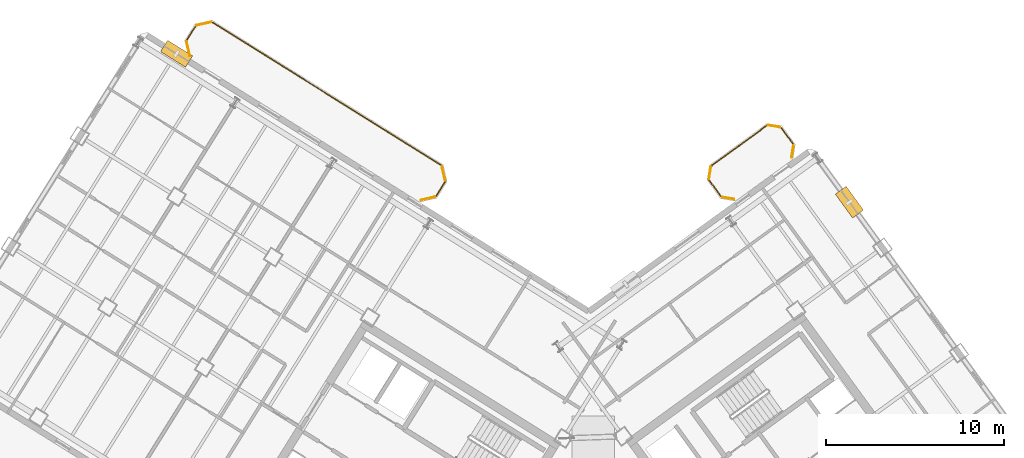
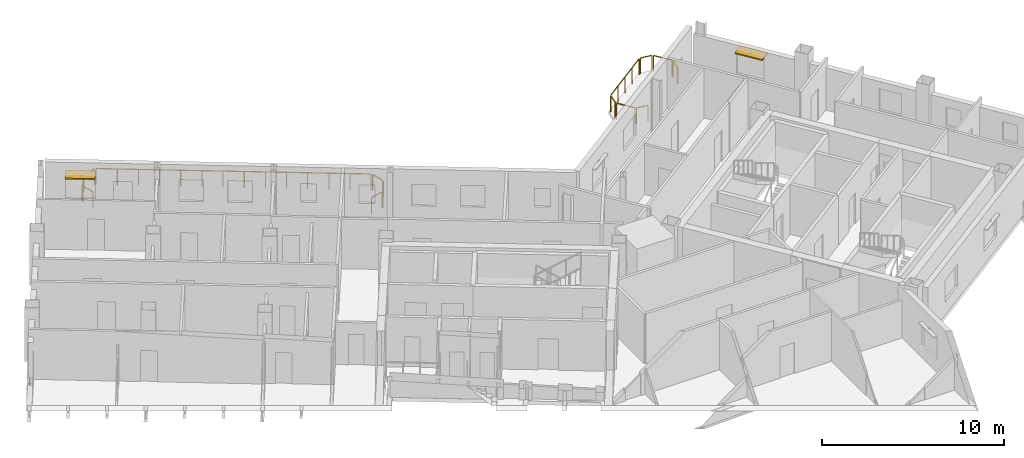
# One storey, part 23 of 23: 14 railings, 2 shading devices.
"""IFC4 building model written with IfcOpenShell, lengths in metres."""

import ifcopenshell
import ifcopenshell.guid

model = None  # the IFC model being written
_history = None  # IfcOwnerHistory: only IFC2X3 demands one
_inside = {}  # id of a spatial element -> (the spatial element, [elements in it])
_under = {}  # id of a project, library or spatial element -> (it, [spatial elements below it])
_declared = {}  # id of a project -> (the project, [libraries it declares])
_typed = {}  # id of a type object -> (the type object, [elements of that type])
_made_of = {}  # id of a material, layer set ... -> (it, [elements and type objects made of it])


def new_model(schema):
    """Start an empty IFC model of exactly this schema.

    Asked for "IFC4X3", IfcOpenShell would pick the latest addendum, in which some entities
    have other attributes; the version numbers below select the first issue.
    IFC2X3 requires an IfcOwnerHistory on every rooted entity: one is made here for all.
    """
    global model, _history
    if schema == "IFC4X3":
        model = ifcopenshell.file(schema_version=(4, 3, 0, 0))
    else:
        model = ifcopenshell.file(schema=schema)
    _inside.clear()
    _under.clear()
    _declared.clear()
    _typed.clear()
    _made_of.clear()
    _history = None
    if model.schema == "IFC2X3":
        org = make("IfcOrganization", Name="unknown")
        user = make(
            "IfcPersonAndOrganization",
            ThePerson=make("IfcPerson", FamilyName="unknown"),
            TheOrganization=org,
        )
        app = make(
            "IfcApplication",
            ApplicationDeveloper=org,
            Version="unknown",
            ApplicationFullName="unknown",
            ApplicationIdentifier="unknown",
        )
        _history = make(
            "IfcOwnerHistory",
            OwningUser=user,
            OwningApplication=app,
            ChangeAction="ADDED",
            CreationDate=0,
        )
    return model


def make(cls, **values):
    """One entity of the class cls with the attributes given. An attribute that is None is left unset."""
    return model.create_entity(
        cls, **{name: value for name, value in values.items() if value is not None}
    )


def rooted(cls, **values):
    """An entity with a GlobalId (a new one), such as an element, a storey or a relation."""
    return make(cls, GlobalId=ifcopenshell.guid.new(), OwnerHistory=_history, **values)


def si_unit(unit_type, name, prefix=None):
    """IfcSIUnit, for example si_unit("LENGTHUNIT", "METRE", prefix="MILLI")."""
    return make("IfcSIUnit", UnitType=unit_type, Prefix=prefix, Name=name)


def assignment(units):
    """IfcUnitAssignment: the units of a project."""
    return None if units is None else make("IfcUnitAssignment", Units=units)


def point(xyz):
    """IfcCartesianPoint."""
    return None if xyz is None else make("IfcCartesianPoint", Coordinates=xyz)


def direction(xyz):
    """IfcDirection."""
    return None if xyz is None else make("IfcDirection", DirectionRatios=xyz)


def frame(location, z_axis=None, x_axis=None):
    """IfcAxis2Placement3D, a coordinate frame: its origin and axes. An axis left out is left unset."""
    return make(
        "IfcAxis2Placement3D",
        Location=point(location),
        Axis=direction(z_axis),
        RefDirection=direction(x_axis),
    )


def frame_2d(location, x_axis=None):
    """IfcAxis2Placement2D, a coordinate frame in the plane: its origin and x axis."""
    return make(
        "IfcAxis2Placement2D", Location=point(location), RefDirection=direction(x_axis)
    )


def origin():
    """The frame at (0, 0, 0) with its axes left unset."""
    return frame((0.0, 0.0, 0.0))


def origin_2d():
    """The frame at (0, 0) in the plane with its x axis left unset."""
    return frame_2d((0.0, 0.0))


def place(relative_to, where):
    """IfcLocalPlacement: puts the frame where relative to a parent placement (None: the world)."""
    return make(
        "IfcLocalPlacement", PlacementRelTo=relative_to, RelativePlacement=where
    )


def context(
    kind, dimensions, precision=None, world=None, true_north=None, identifier=None
):
    """IfcGeometricRepresentationContext, for example the 3D "Model" context."""
    return make(
        "IfcGeometricRepresentationContext",
        ContextIdentifier=identifier,
        ContextType=kind,
        CoordinateSpaceDimension=dimensions,
        Precision=precision,
        WorldCoordinateSystem=world,
        TrueNorth=true_north,
    )


def subcontext(parent, identifier, kind, view, scale=None):
    """IfcGeometricRepresentationSubContext, for example "Body" below "Model"."""
    return make(
        "IfcGeometricRepresentationSubContext",
        ContextIdentifier=identifier,
        ContextType=kind,
        ParentContext=parent,
        TargetScale=scale,
        TargetView=view,
    )


def project(units=None, contexts=None):
    """IfcProject with its units and contexts."""
    return rooted(
        "IfcProject",
        Name="project",
        RepresentationContexts=contexts,
        UnitsInContext=assignment(units),
    )


def spatial(cls, under=None, at=None, **own):
    """A site, building, storey or space (cls), placed at a placement, below another one or the project."""
    s = rooted(cls, ObjectPlacement=at, **own)
    if under is not None:
        _under.setdefault(under.id(), (under, []))[1].append(s)
    return s


def profile(cls, at=None, kind="AREA", **sizes):
    """A parametric profile (cls). Its sizes go by their IFC names, for example OverallWidth=200.0."""
    return make(cls, ProfileType=kind, Position=at, **sizes)


def rectangle(**sizes):
    """IfcRectangleProfileDef."""
    return profile("IfcRectangleProfileDef", **sizes)


def extrude(swept, where, along, depth):
    """IfcExtrudedAreaSolid: the profile swept, set in the frame where, extruded along a direction by depth."""
    return make(
        "IfcExtrudedAreaSolid",
        SweptArea=swept,
        Position=where,
        ExtrudedDirection=direction(along),
        Depth=depth,
    )


def shape(context_of_items, identifier, shape_type, items):
    """IfcShapeRepresentation: the items that make up one representation, for example the "Body"."""
    return make(
        "IfcShapeRepresentation",
        ContextOfItems=context_of_items,
        RepresentationIdentifier=identifier,
        RepresentationType=shape_type,
        Items=items,
    )


def source(mapping_origin, context_of_items, identifier, shape_type, items):
    """IfcRepresentationMap: a shape defined once, which mapped items show again and again."""
    return make(
        "IfcRepresentationMap",
        MappingOrigin=mapping_origin,
        MappedRepresentation=shape(context_of_items, identifier, shape_type, items),
    )


def transform(
    local_origin,
    x_axis=None,
    y_axis=None,
    z_axis=None,
    scale=None,
    scale2=None,
    scale3=None,
    uniform=True,
):
    """IfcCartesianTransformationOperator3D, or its non-uniform kind. x_axis, y_axis, z_axis: its Axis1, 2, 3."""
    if uniform:
        return make(
            "IfcCartesianTransformationOperator3D",
            Axis1=direction(x_axis),
            Axis2=direction(y_axis),
            LocalOrigin=point(local_origin),
            Scale=scale,
            Axis3=direction(z_axis),
        )
    return make(
        "IfcCartesianTransformationOperator3DnonUniform",
        Axis1=direction(x_axis),
        Axis2=direction(y_axis),
        LocalOrigin=point(local_origin),
        Scale=scale,
        Axis3=direction(z_axis),
        Scale2=scale2,
        Scale3=scale3,
    )


def mapped(mapping_source, mapping_target):
    """IfcMappedItem: shows the shape of a source again, moved by a transform."""
    return make(
        "IfcMappedItem", MappingSource=mapping_source, MappingTarget=mapping_target
    )


def material(Name=None, Category=None):
    """IfcMaterial."""
    return make("IfcMaterial", Name=Name, Category=Category)


def layer(
    of_material, thickness, ventilated=None, Name=None, Category=None, Priority=None
):
    """IfcMaterialLayer: one layer of a wall or slab, of a material (None: an air gap)."""
    return make(
        "IfcMaterialLayer",
        Material=of_material,
        LayerThickness=thickness,
        IsVentilated=ventilated,
        Name=Name,
        Category=Category,
        Priority=Priority,
    )


def layer_set(layers, Name=None):
    """IfcMaterialLayerSet."""
    return make("IfcMaterialLayerSet", MaterialLayers=layers, LayerSetName=Name)


def made_of(thing, what):
    """Note that an element or type object is made of a material, layer set ...; save() writes the relation."""
    if what is not None:
        _made_of.setdefault(what.id(), (what, []))[1].append(thing)
    return thing


def type_object(cls, material=None, **own):
    """A type object (cls), such as IfcWallType, which elements share."""
    return made_of(rooted(cls, **own), material)


def element(
    cls,
    number,
    at=None,
    inside=None,
    cuts=None,
    type_object=None,
    material=None,
    context=None,
    identifier="Body",
    shape_type=None,
    held_by="IfcProductDefinitionShape",
    body=None,
    shapes=None,
    **own,
):
    """One element of the class cls, such as IfcWall. Its Tag is "e" and its number.

    at: its placement. inside: the storey or other place that contains it. cuts: it is an
    opening in that element (IfcRelVoidsElement). A single representation is given by context,
    identifier, shape_type and body (its items); several are given by shapes. held_by: the class
    of the entity that holds the representations. save() writes the other relations.
    """
    e = rooted(cls, Tag="e%d" % number, ObjectPlacement=at, **own)
    if body is not None:
        shapes = [shape(context, identifier, shape_type, body)]
    if shapes is not None:
        e.Representation = make(held_by, Representations=shapes)
    if inside is not None:
        _inside.setdefault(inside.id(), (inside, []))[1].append(e)
    if cuts is not None:
        rooted(
            "IfcRelVoidsElement", RelatingBuildingElement=cuts, RelatedOpeningElement=e
        )
    if type_object is not None:
        _typed.setdefault(type_object.id(), (type_object, []))[1].append(e)
    return made_of(e, material)


def aggregate(whole, parts):
    """IfcRelAggregates: a whole, such as a stair, and the parts it consists of."""
    return rooted("IfcRelAggregates", RelatingObject=whole, RelatedObjects=parts)


def save(model, path):
    """Write the relations noted so far, then the file.

    IfcRelAggregates (storeys below a building ...), IfcRelContainedInSpatialStructure (elements
    in a storey), IfcRelDefinesByType, IfcRelAssociatesMaterial and IfcRelDeclares: one each for
    every whole, place, type object, material and project.
    """
    for whole, parts in _under.values():
        aggregate(whole, parts)
    for where, things in _inside.values():
        rooted(
            "IfcRelContainedInSpatialStructure",
            RelatedElements=things,
            RelatingStructure=where,
        )
    for kind, things in _typed.values():
        rooted("IfcRelDefinesByType", RelatedObjects=things, RelatingType=kind)
    for what, things in _made_of.values():
        rooted("IfcRelAssociatesMaterial", RelatedObjects=things, RelatingMaterial=what)
    for by, libraries in _declared.values():
        rooted("IfcRelDeclares", RelatingContext=by, RelatedDefinitions=libraries)
    model.write(path)


model = new_model("IFC4")

# Units and contexts
model_context = context("Model", 3, precision=1e-05, world=origin(), true_north=direction((0.0, 1.0)))
body_context = subcontext(model_context, "Body", "Model", "MODEL_VIEW")
ifc_project = project(units=[si_unit("LENGTHUNIT", "METRE"), si_unit("AREAUNIT", "SQUARE_METRE"), si_unit("VOLUMEUNIT", "CUBIC_METRE"), si_unit("PLANEANGLEUNIT", "RADIAN"), si_unit("MASSUNIT", "GRAM", prefix="KILO")], contexts=[model_context])

# Site, building, storey
site_placement = place(None, origin())
site = spatial("IfcSite", under=ifc_project, at=site_placement, CompositionType="ELEMENT")
building_placement = place(site_placement, origin())
building = spatial("IfcBuilding", under=site, at=building_placement, Name="Tlacorven Tower", CompositionType="ELEMENT")
storey_placement = place(building_placement, frame((0.0, 0.0, 218.39990234375)))
storey = spatial("IfcBuildingStorey", under=building, at=storey_placement, Name="L55", CompositionType="ELEMENT", Elevation=218.39990234375)

# Railings
ifc_material_1 = material(Name="Aluminium and painted steel balustrade", Category="steel")
railing_type = type_object("IfcRailingType", Name="RL-BAL-1100", PredefinedType="BALUSTRADE", material=ifc_material_1)
shared_shape_1 = source(origin(), body_context, "Body", "SweptSolid", [
    extrude(rectangle(XDim=0.048095703125, YDim=0.048095703125, at=origin_2d()), frame((0.0, 0.0, 1.076171875), z_axis=(0.974345290916, 0.225058334816, 0.0), x_axis=(-0.225058334816, 0.974345290916, 0.0)), (0.0, 0.0, 1.0), 0.80712890625),
    extrude(rectangle(XDim=0.0419921875, YDim=0.0419921875, at=origin_2d()), origin(), (0.0, 0.0, 1.0), 1.052001953125),
    extrude(rectangle(XDim=0.0419921875, YDim=0.0419921875, at=origin_2d()), frame((0.786376953125, 0.181640625, 0.0)), (0.0, 0.0, 1.0), 1.052001953125),
])
railing_1_placement = place(storey_placement, frame((20.2138671875, 47.643798828125, 0.0)))
element("IfcRailing", 1, at=railing_1_placement, inside=storey, type_object=railing_type, Name="BAL-L55-W-IN Guard Railing 6", PredefinedType="BALUSTRADE", context=body_context, shape_type="MappedRepresentation", body=[
    mapped(shared_shape_1, transform((0.0, 0.0, 0.0), scale=1.0)),
])
shared_shape_2 = source(origin(), body_context, "Body", "SweptSolid", [
    extrude(rectangle(XDim=0.048095703125, YDim=0.048095703125, at=origin_2d()), frame((0.0, 0.0, 1.076171875), z_axis=(-0.987661653326, 0.156602868908, 0.0), x_axis=(-0.156602868908, -0.987661653326, 0.0)), (0.0, 0.0, 1.0), 0.665771484375),
    extrude(rectangle(XDim=0.0419921875, YDim=0.0419921875, at=origin_2d()), origin(), (0.0, 0.0, 1.0), 1.052001953125),
    extrude(rectangle(XDim=0.0419921875, YDim=0.0419921875, at=origin_2d()), frame((-0.657470703125, 0.104248046875, 0.0)), (0.0, 0.0, 1.0), 1.052001953125),
])
railing_2_placement = place(storey_placement, frame((50.359130859375, 37.891845703125, 0.0)))
element("IfcRailing", 2, at=railing_2_placement, inside=storey, type_object=railing_type, Name="BAL-L55-E-IN Guard Railing 1", PredefinedType="BALUSTRADE", context=body_context, shape_type="MappedRepresentation", body=[
    mapped(shared_shape_2, transform((0.0, 0.0, 0.0), scale=1.0)),
])
shared_shape_3 = source(origin(), body_context, "Body", "SweptSolid", [
    extrude(rectangle(XDim=0.048095703125, YDim=0.048095703125, at=origin_2d()), frame((0.0, 0.0, 1.076171875), z_axis=(0.156602868908, 0.987661653326, 0.0), x_axis=(-0.987661653326, 0.156602868908, 0.0)), (0.0, 0.0, 1.0), 0.665771484375),
    extrude(rectangle(XDim=0.0419921875, YDim=0.0419921875, at=origin_2d()), origin(), (0.0, 0.0, 1.0), 1.052001953125),
    extrude(rectangle(XDim=0.0419921875, YDim=0.0419921875, at=origin_2d()), frame((0.104248046875, 0.657470703125, 0.0)), (0.0, 0.0, 1.0), 1.052001953125),
])
railing_3_placement = place(storey_placement, frame((48.947509765625, 39.033935546875, 0.0)))
element("IfcRailing", 3, at=railing_3_placement, inside=storey, type_object=railing_type, Name="BAL-L55-E-IN Guard Railing 3", PredefinedType="BALUSTRADE", context=body_context, shape_type="MappedRepresentation", body=[
    mapped(shared_shape_3, transform((0.0, 0.0, 0.0), scale=1.0)),
])
shared_shape_4 = source(origin(), body_context, "Body", "SweptSolid", [
    extrude(rectangle(XDim=0.048095703125, YDim=0.048095703125, at=origin_2d()), frame((0.0, 0.0, 1.076171875), z_axis=(-0.156245081039, -0.987718317463, 0.0), x_axis=(0.987718317463, -0.156245081039, 0.0)), (0.0, 0.0, 1.0), 0.66552734375),
    extrude(rectangle(XDim=0.0419921875, YDim=0.0419921875, at=origin_2d()), origin(), (0.0, 0.0, 1.0), 1.052001953125),
    extrude(rectangle(XDim=0.0419921875, YDim=0.0419921875, at=origin_2d()), frame((-0.10400390625, -0.657470703125, 0.0)), (0.0, 0.0, 1.0), 1.052001953125),
])
railing_4_placement = place(storey_placement, frame((53.689453125, 40.893310546875, 0.0)))
element("IfcRailing", 4, at=railing_4_placement, inside=storey, type_object=railing_type, Name="BAL-L55-E-IN Guard Railing 7", PredefinedType="BALUSTRADE", context=body_context, shape_type="MappedRepresentation", body=[
    mapped(shared_shape_4, transform((0.0, 0.0, 0.0), scale=1.0)),
])
shared_shape_5 = source(origin(), body_context, "Body", "SweptSolid", [
    extrude(rectangle(XDim=0.048095703125, YDim=0.048095703125, at=origin_2d()), frame((0.0, 0.0, 1.076171875), z_axis=(0.529998940003, 0.847998304005, 0.0), x_axis=(-0.847998304005, 0.529998940003, 0.0)), (0.0, 0.0, 1.0), 0.912109375),
    extrude(rectangle(XDim=0.0419921875, YDim=0.0419921875, at=origin_2d()), origin(), (0.0, 0.0, 1.0), 1.052001953125),
    extrude(rectangle(XDim=0.0419921875, YDim=0.0419921875, at=origin_2d()), frame((0.4833984375, 0.7734375, 0.0)), (0.0, 0.0, 1.0), 1.052001953125),
])
railing_5_placement = place(storey_placement, frame((19.6552734375, 46.816650390625, 0.0)))
element("IfcRailing", 5, at=railing_5_placement, inside=storey, type_object=railing_type, Name="BAL-L55-W-IN Guard Railing 5", PredefinedType="BALUSTRADE", context=body_context, shape_type="MappedRepresentation", body=[
    mapped(shared_shape_5, transform((0.0, 0.0, 0.0), scale=1.0)),
])
shared_shape_6 = source(origin(), body_context, "Body", "SweptSolid", [
    extrude(rectangle(XDim=0.048095703125, YDim=0.048095703125, at=origin_2d()), frame((0.0, 0.0, 1.076171875), z_axis=(0.224992020761, -0.974360606036, 0.0), x_axis=(0.974360606036, 0.224992020761, 0.0)), (0.0, 0.0, 1.0), 0.807373046875),
    extrude(rectangle(XDim=0.0419921875, YDim=0.0419921875, at=origin_2d()), origin(), (0.0, 0.0, 1.0), 1.052001953125),
    extrude(rectangle(XDim=0.0419921875, YDim=0.0419921875, at=origin_2d()), frame((0.181640625, -0.78662109375, 0.0)), (0.0, 0.0, 1.0), 1.052001953125),
])
railing_6_placement = place(storey_placement, frame((33.965087890625, 39.72412109375, 0.0)))
element("IfcRailing", 6, at=railing_6_placement, inside=storey, type_object=railing_type, Name="BAL-L55-W-IN Guard Railing 1", PredefinedType="BALUSTRADE", context=body_context, shape_type="MappedRepresentation", body=[
    mapped(shared_shape_6, transform((0.0, 0.0, 0.0), scale=1.0)),
])
shared_shape_7 = source(origin(), body_context, "Body", "SweptSolid", [
    extrude(rectangle(XDim=0.048095703125, YDim=0.048095703125, at=origin_2d()), frame((0.0, 0.0, 1.076171875), z_axis=(-0.529998940003, -0.847998304005, 0.0), x_axis=(0.847998304005, -0.529998940003, 0.0)), (0.0, 0.0, 1.0), 0.912109375),
    extrude(rectangle(XDim=0.0419921875, YDim=0.0419921875, at=origin_2d()), origin(), (0.0, 0.0, 1.0), 1.052001953125),
    extrude(rectangle(XDim=0.0419921875, YDim=0.0419921875, at=origin_2d()), frame((-0.4833984375, -0.7734375, 0.0)), (0.0, 0.0, 1.0), 1.052001953125),
])
railing_7_placement = place(storey_placement, frame((34.131591796875, 38.846435546875, 0.0)))
element("IfcRailing", 7, at=railing_7_placement, inside=storey, type_object=railing_type, Name="BAL-L55-W-IN Guard Railing 2", PredefinedType="BALUSTRADE", context=body_context, shape_type="MappedRepresentation", body=[
    mapped(shared_shape_7, transform((0.0, 0.0, 0.0), scale=1.0)),
])
shared_shape_8 = source(origin(), body_context, "Body", "SweptSolid", [
    extrude(rectangle(XDim=0.048095703125, YDim=0.048095703125, at=origin_2d()), frame((0.0, 0.0, 1.076171875), z_axis=(-0.974360606036, -0.224992020761, 0.0), x_axis=(0.224992020761, -0.974360606036, 0.0)), (0.0, 0.0, 1.0), 0.807373046875),
    extrude(rectangle(XDim=0.0419921875, YDim=0.0419921875, at=origin_2d()), origin(), (0.0, 0.0, 1.0), 1.052001953125),
    extrude(rectangle(XDim=0.0419921875, YDim=0.0419921875, at=origin_2d()), frame((-0.78662109375, -0.181640625, 0.0)), (0.0, 0.0, 1.0), 1.052001953125),
])
railing_8_placement = place(storey_placement, frame((33.572998046875, 38.019287109375, 0.0)))
element("IfcRailing", 8, at=railing_8_placement, inside=storey, type_object=railing_type, Name="BAL-L55-W-IN Guard Railing 3", PredefinedType="BALUSTRADE", context=body_context, shape_type="MappedRepresentation", body=[
    mapped(shared_shape_8, transform((0.0, 0.0, 0.0), scale=1.0)),
])
shared_shape_9 = source(origin(), body_context, "Body", "SweptSolid", [
    extrude(rectangle(XDim=0.048095703125, YDim=0.048095703125, at=origin_2d()), frame((0.0, 0.0, 1.076171875), z_axis=(-0.22470489119, 0.974426863277, 0.0), x_axis=(-0.974426863277, -0.22470489119, 0.0)), (0.0, 0.0, 1.0), 0.807373046875),
    extrude(rectangle(XDim=0.0419921875, YDim=0.0419921875, at=origin_2d()), origin(), (0.0, 0.0, 1.0), 1.052001953125),
    extrude(rectangle(XDim=0.0419921875, YDim=0.0419921875, at=origin_2d()), frame((-0.181396484375, 0.78662109375, 0.0)), (0.0, 0.0, 1.0), 1.052001953125),
])
railing_9_placement = place(storey_placement, frame((19.821533203125, 45.93896484375, 0.0)))
element("IfcRailing", 9, at=railing_9_placement, inside=storey, type_object=railing_type, Name="BAL-L55-W-IN Guard Railing 4", PredefinedType="BALUSTRADE", context=body_context, shape_type="MappedRepresentation", body=[
    mapped(shared_shape_9, transform((0.0, 0.0, 0.0), scale=1.0)),
])
shared_shape_10 = source(origin(), body_context, "Body", "SweptSolid", [
    extrude(rectangle(XDim=0.048095703125, YDim=0.048095703125, at=origin_2d()), frame((0.0, 0.0, 1.076171875), z_axis=(0.848051830527, -0.529913287944, 0.0), x_axis=(0.529913287944, 0.848051830527, 0.0)), (0.0, 0.0, 1.0), 15.1171875),
    extrude(rectangle(XDim=0.0419921875, YDim=0.0419921875, at=origin_2d()), origin(), (0.0, 0.0, 1.0), 1.052001953125),
    extrude(rectangle(XDim=0.0419921875, YDim=0.0419921875, at=origin_2d()), frame((0.986083984375, -0.6162109375, 0.0)), (0.0, 0.0, 1.0), 1.052001953125),
    extrude(rectangle(XDim=0.0419921875, YDim=0.0419921875, at=origin_2d()), frame((1.972412109375, -1.232421875, 0.0)), (0.0, 0.0, 1.0), 1.052001953125),
    extrude(rectangle(XDim=0.0419921875, YDim=0.0419921875, at=origin_2d()), frame((2.95849609375, -1.8486328125, 0.0)), (0.0, 0.0, 1.0), 1.052001953125),
    extrude(rectangle(XDim=0.0419921875, YDim=0.0419921875, at=origin_2d()), frame((3.944580078125, -2.46484375, 0.0)), (0.0, 0.0, 1.0), 1.052001953125),
    extrude(rectangle(XDim=0.0419921875, YDim=0.0419921875, at=origin_2d()), frame((4.930908203125, -3.0810546875, 0.0)), (0.0, 0.0, 1.0), 1.052001953125),
    extrude(rectangle(XDim=0.0419921875, YDim=0.0419921875, at=origin_2d()), frame((5.9169921875, -3.697265625, 0.0)), (0.0, 0.0, 1.0), 1.052001953125),
    extrude(rectangle(XDim=0.0419921875, YDim=0.0419921875, at=origin_2d()), frame((6.903076171875, -4.3134765625, 0.0)), (0.0, 0.0, 1.0), 1.052001953125),
    extrude(rectangle(XDim=0.0419921875, YDim=0.0419921875, at=origin_2d()), frame((7.88916015625, -4.9296875, 0.0)), (0.0, 0.0, 1.0), 1.052001953125),
    extrude(rectangle(XDim=0.0419921875, YDim=0.0419921875, at=origin_2d()), frame((8.87548828125, -5.5458984375, 0.0)), (0.0, 0.0, 1.0), 1.052001953125),
    extrude(rectangle(XDim=0.0419921875, YDim=0.0419921875, at=origin_2d()), frame((9.861572265625, -6.162109375, 0.0)), (0.0, 0.0, 1.0), 1.052001953125),
    extrude(rectangle(XDim=0.0419921875, YDim=0.0419921875, at=origin_2d()), frame((10.84765625, -6.7783203125, 0.0)), (0.0, 0.0, 1.0), 1.052001953125),
    extrude(rectangle(XDim=0.0419921875, YDim=0.0419921875, at=origin_2d()), frame((11.833984375, -7.39453125, 0.0)), (0.0, 0.0, 1.0), 1.052001953125),
    extrude(rectangle(XDim=0.0419921875, YDim=0.0419921875, at=origin_2d()), frame((12.820068359375, -8.0107421875, 0.0)), (0.0, 0.0, 1.0), 1.052001953125),
])
railing_10_placement = place(storey_placement, frame((21.091552734375, 47.81005859375, 0.0)))
element("IfcRailing", 10, at=railing_10_placement, inside=storey, type_object=railing_type, Name="BAL-L55-W-IN Guard Railing 7", PredefinedType="BALUSTRADE", context=body_context, shape_type="MappedRepresentation", body=[
    mapped(shared_shape_10, transform((0.0, 0.0, 0.0), scale=1.0)),
])
shared_shape_11 = source(origin(), body_context, "Body", "SweptSolid", [
    extrude(rectangle(XDim=0.048095703125, YDim=0.048095703125, at=origin_2d()), frame((0.0, 0.0, 1.076171875), z_axis=(-0.587636431696, 0.809125097957, 0.0), x_axis=(-0.809125097957, -0.587636431696, 0.0)), (0.0, 0.0, 1.0), 1.1123046875),
    extrude(rectangle(XDim=0.0419921875, YDim=0.0419921875, at=origin_2d()), origin(), (0.0, 0.0, 1.0), 1.052001953125),
    extrude(rectangle(XDim=0.0419921875, YDim=0.0419921875, at=origin_2d()), frame((-0.653564453125, 0.89990234375, 0.0)), (0.0, 0.0, 1.0), 1.052001953125),
])
railing_11_placement = place(storey_placement, frame((49.622802734375, 38.044189453125, 0.0)))
element("IfcRailing", 11, at=railing_11_placement, inside=storey, type_object=railing_type, Name="BAL-L55-E-IN Guard Railing 2", PredefinedType="BALUSTRADE", context=body_context, shape_type="MappedRepresentation", body=[
    mapped(shared_shape_11, transform((0.0, 0.0, 0.0), scale=1.0)),
])
shared_shape_12 = source(origin(), body_context, "Body", "SweptSolid", [
    extrude(rectangle(XDim=0.048095703125, YDim=0.048095703125, at=origin_2d()), frame((0.0, 0.0, 1.076171875), z_axis=(0.809018102573, 0.587783726986, 0.0), x_axis=(-0.587783726986, 0.809018102573, 0.0)), (0.0, 0.0, 1.0), 3.817138671875),
    extrude(rectangle(XDim=0.0419921875, YDim=0.0419921875, at=origin_2d()), origin(), (0.0, 0.0, 1.0), 1.052001953125),
    extrude(rectangle(XDim=0.0419921875, YDim=0.0419921875, at=origin_2d()), frame((0.77197265625, 0.56103515625, 0.0)), (0.0, 0.0, 1.0), 1.052001953125),
    extrude(rectangle(XDim=0.0419921875, YDim=0.0419921875, at=origin_2d()), frame((1.5439453125, 1.121826171875, 0.0)), (0.0, 0.0, 1.0), 1.052001953125),
    extrude(rectangle(XDim=0.0419921875, YDim=0.0419921875, at=origin_2d()), frame((2.316162109375, 1.6826171875, 0.0)), (0.0, 0.0, 1.0), 1.052001953125),
    extrude(rectangle(XDim=0.0419921875, YDim=0.0419921875, at=origin_2d()), frame((3.088134765625, 2.24365234375, 0.0)), (0.0, 0.0, 1.0), 1.052001953125),
])
railing_12_placement = place(storey_placement, frame((49.10009765625, 39.77001953125, 0.0)))
element("IfcRailing", 12, at=railing_12_placement, inside=storey, type_object=railing_type, Name="BAL-L55-E-IN Guard Railing 4", PredefinedType="BALUSTRADE", context=body_context, shape_type="MappedRepresentation", body=[
    mapped(shared_shape_12, transform((0.0, 0.0, 0.0), scale=1.0)),
])
shared_shape_13 = source(origin(), body_context, "Body", "SweptSolid", [
    extrude(rectangle(XDim=0.048095703125, YDim=0.048095703125, at=origin_2d()), frame((0.0, 0.0, 1.076171875), z_axis=(0.987661653326, -0.156602868908, 0.0), x_axis=(0.156602868908, 0.987661653326, 0.0)), (0.0, 0.0, 1.0), 0.665771484375),
    extrude(rectangle(XDim=0.0419921875, YDim=0.0419921875, at=origin_2d()), origin(), (0.0, 0.0, 1.0), 1.052001953125),
    extrude(rectangle(XDim=0.0419921875, YDim=0.0419921875, at=origin_2d()), frame((0.657470703125, -0.104248046875, 0.0)), (0.0, 0.0, 1.0), 1.052001953125),
])
railing_13_placement = place(storey_placement, frame((52.278076171875, 42.035400390625, 0.0)))
element("IfcRailing", 13, at=railing_13_placement, inside=storey, type_object=railing_type, Name="BAL-L55-E-IN Guard Railing 5", PredefinedType="BALUSTRADE", context=body_context, shape_type="MappedRepresentation", body=[
    mapped(shared_shape_13, transform((0.0, 0.0, 0.0), scale=1.0)),
])
shared_shape_14 = source(origin(), body_context, "Body", "SweptSolid", [
    extrude(rectangle(XDim=0.048095703125, YDim=0.048095703125, at=origin_2d()), frame((0.0, 0.0, 1.076171875), z_axis=(0.587780115446, -0.809020726488, 0.0), x_axis=(0.809020726488, 0.587780115446, 0.0)), (0.0, 0.0, 1.0), 1.1123046875),
    extrude(rectangle(XDim=0.0419921875, YDim=0.0419921875, at=origin_2d()), origin(), (0.0, 0.0, 1.0), 1.052001953125),
    extrude(rectangle(XDim=0.0419921875, YDim=0.0419921875, at=origin_2d()), frame((0.65380859375, -0.89990234375, 0.0)), (0.0, 0.0, 1.0), 1.052001953125),
])
railing_14_placement = place(storey_placement, frame((53.01416015625, 41.883056640625, 0.0)))
element("IfcRailing", 14, at=railing_14_placement, inside=storey, type_object=railing_type, Name="BAL-L55-E-IN Guard Railing 6", PredefinedType="BALUSTRADE", context=body_context, shape_type="MappedRepresentation", body=[
    mapped(shared_shape_14, transform((0.0, 0.0, 0.0), scale=1.0)),
])

# Shading devices
ifc_material_2 = material(Name="Anodised bronze aluminium sunshade", Category="aluminium")
ifc_layer = layer(ifc_material_2, 0.080078125)
ifc_layer_set = layer_set([ifc_layer], Name="Anodised bronze aluminium sunshade")
shading_device_type = type_object("IfcShadingDeviceType", Name="SH-SUN-BRZ", PredefinedType="AWNING", material=ifc_layer_set)
shared_shape_15 = source(origin(), body_context, "Body", "SweptSolid", [
    extrude(rectangle(XDim=1.64990234375, YDim=0.75, at=origin_2d()), origin(), (0.0, 0.0, 1.0), 0.080078125),
])
for number, where, z_axis, x_axis, name in (
    (15, (19.077392578125, 46.050048828125, 2.3701171875), (0.0, 0.0, 1.0), (0.848048220257, -0.52991906563, 0.0), "L55 Solar Brise-Soleil Sunshade L55-03.1"),
    (16, (56.8271484375, 37.7236328125, 2.3701171875), (0.0, 0.0, 1.0), (0.587785363163, -0.809016913823, 0.0), "L55 Solar Brise-Soleil Sunshade L55-05.1"),
):
    element("IfcShadingDevice", number, at=place(storey_placement, frame(where, z_axis=z_axis, x_axis=x_axis)), inside=storey, type_object=shading_device_type, Name=name, PredefinedType="AWNING", context=body_context, shape_type="MappedRepresentation", body=[
        mapped(shared_shape_15, transform((0.0, 0.0, 0.0), scale=1.0)),
    ])

save(model, "model.ifc")
